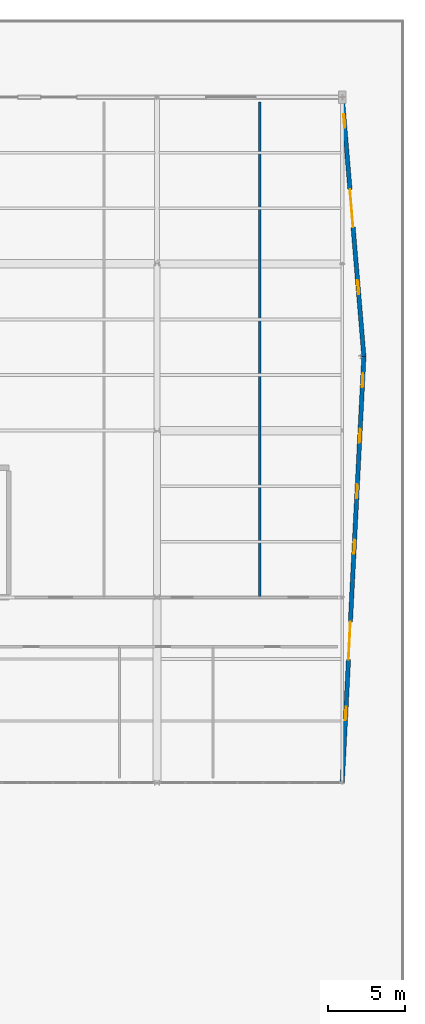
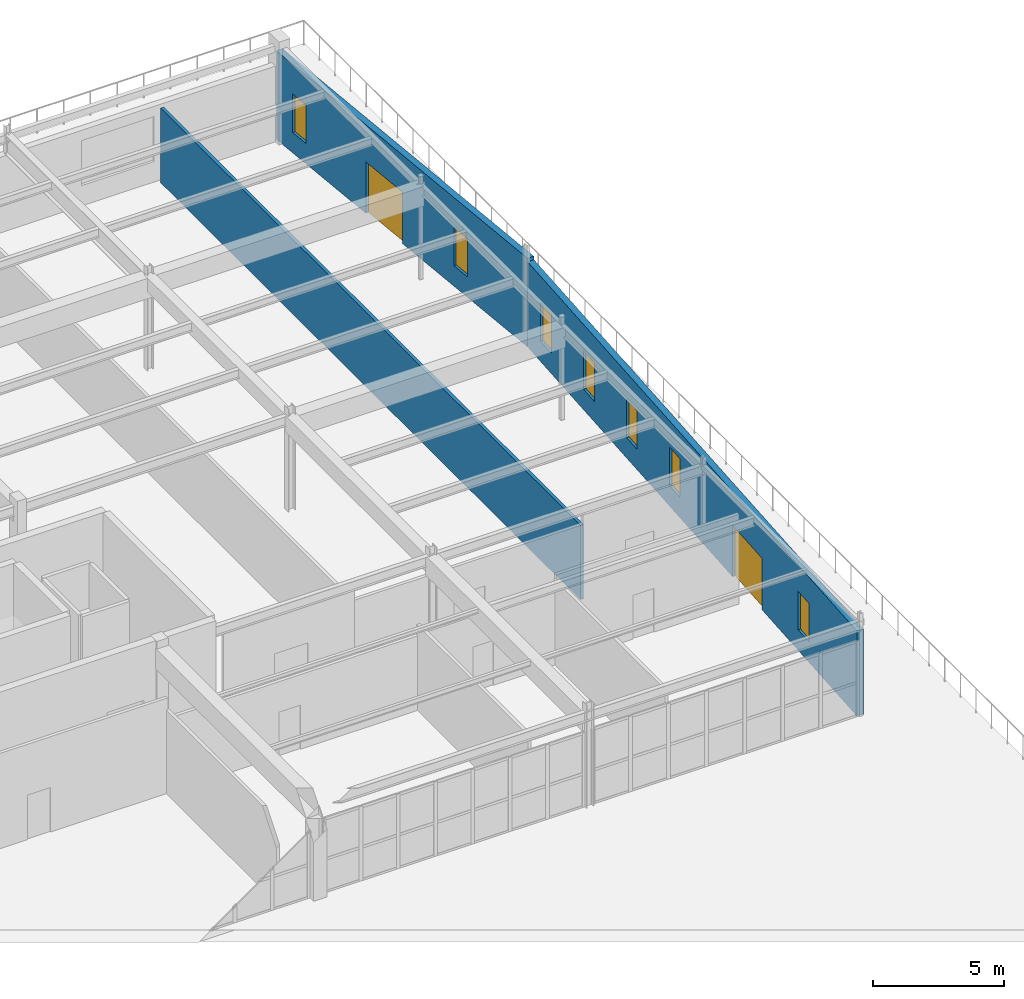
# One storey, part 172 of 199: 7 windows, 3 walls, 2 doors, 9 openings.
"""IFC4 building model written with IfcOpenShell, lengths in metres."""

from ifc_helpers import new_model, si_unit, direction, frame, frame_2d, origin, place, context, subcontext, project, spatial, rectangle, extrude, material, layer, layer_set, type_object, element, fill, save


model = new_model("IFC4")

# Units and contexts
model_context = context("Model", 3, precision=1e-05, world=origin(), true_north=direction((0.0, 1.0)))
body_context = subcontext(model_context, "Body", "Model", "MODEL_VIEW")
ifc_project = project(units=[si_unit("LENGTHUNIT", "METRE"), si_unit("AREAUNIT", "SQUARE_METRE"), si_unit("VOLUMEUNIT", "CUBIC_METRE"), si_unit("PLANEANGLEUNIT", "RADIAN"), si_unit("MASSUNIT", "GRAM", prefix="KILO")], contexts=[model_context])

# Site, building, storey
site_placement = place(None, origin())
site = spatial("IfcSite", under=ifc_project, at=site_placement, CompositionType="ELEMENT")
building_placement = place(site_placement, origin())
building = spatial("IfcBuilding", under=site, at=building_placement, Name="Tarnwether General Hospital", CompositionType="ELEMENT")
storey_placement = place(building_placement, origin())
storey = spatial("IfcBuildingStorey", under=building, at=storey_placement, Name="L00", CompositionType="ELEMENT", Elevation=0.0)

# Wall, openings, door, windows
ifc_material_1 = material(Name="Precast concrete 40 MPa", Category="concrete")
ifc_layer_1 = layer(ifc_material_1, 0.280029296875)
ifc_layer_set_1 = layer_set([ifc_layer_1], Name="Precast concrete 40 MPa")
wall_type_1 = type_object("IfcWallType", Name="WL-EX280", PredefinedType="STANDARD", material=ifc_layer_set_1)
wall_1_placement = place(storey_placement, frame((192.0, 126.0, 0.0), z_axis=(0.0, 0.0, 1.0), x_axis=(0.083039487322, -0.996546257604, 0.0)))
wall_1 = element("IfcWall", 1, at=wall_1_placement, inside=storey, type_object=wall_type_1, Name="L00 Outpatient Splayed Shard Wall EW-L00-0292", PredefinedType="STANDARD", context=body_context, shape_type="SweptSolid", body=[
    extrude(rectangle(XDim=16.858154296875, YDim=0.280029296875, at=frame_2d((8.42919921875, 0.0))), origin(), (0.0, 0.0, 1.0), 4.1298828125),
])
opening_1_placement = place(wall_1_placement, frame((6.0, 0.0, 0.0)))
opening_1 = element("IfcOpeningElement", 2, at=opening_1_placement, cuts=wall_1, Name="Opening ED-01", PredefinedType="OPENING", context=body_context, shape_type="SweptSolid", body=[
    extrude(rectangle(XDim=2.4599609375, YDim=2.39990234375, at=frame_2d((1.22998046875, 1.199951171875))), frame((0.0, 0.14990234375, 0.0), z_axis=(0.0, -1.0, 0.0), x_axis=(1.0, 0.0, 0.0)), (0.0, 0.0, 1.0), 0.300048828125),
])
opening_2_placement = place(wall_1_placement, frame((1.10009765625, 0.0, 0.949951171875)))
opening_2 = element("IfcOpeningElement", 3, at=opening_2_placement, cuts=wall_1, Name="Opening W-21", PredefinedType="OPENING", context=body_context, shape_type="SweptSolid", body=[
    extrude(rectangle(XDim=0.89990234375, YDim=1.800048828125, at=frame_2d((0.449951171875, 0.89990234375))), frame((0.0, 0.14990234375, 0.0), z_axis=(0.0, -1.0, 0.0), x_axis=(1.0, 0.0, 0.0)), (0.0, 0.0, 1.0), 0.300048828125),
])
opening_3_placement = place(wall_1_placement, frame((11.89990234375, 0.0, 0.949951171875)))
opening_3 = element("IfcOpeningElement", 4, at=opening_3_placement, cuts=wall_1, Name="Opening W-21", PredefinedType="OPENING", context=body_context, shape_type="SweptSolid", body=[
    extrude(rectangle(XDim=0.89990234375, YDim=1.800048828125, at=frame_2d((0.449951171875, 0.89990234375))), frame((0.0, 0.14990234375, 0.0), z_axis=(0.0, -1.0, 0.0), x_axis=(1.0, 0.0, 0.0)), (0.0, 0.0, 1.0), 0.300048828125),
])
ifc_material_2 = material(Name="Anodised aluminium", Category="aluminium")
door_type = type_object("IfcDoorType", Name="DR-EX01", OperationType="NOTDEFINED", PredefinedType="DOOR", material=ifc_material_2)
door_1_placement = place(opening_1_placement, origin())
door_1 = element("IfcDoor", 5, at=door_1_placement, inside=storey, type_object=door_type, Name="L00 East Clinic Shard Exit North-A ED-L00-0023", OperationType="DOUBLE_DOOR_SINGLE_SWING", OverallHeight=2.39990234375, OverallWidth=2.4599609375, PredefinedType="DOOR", context=body_context, shape_type="SweptSolid", body=[
    extrude(rectangle(XDim=2.4599609375, YDim=2.39990234375, at=frame_2d((1.22998046875, 1.199951171875))), frame((0.0, 0.02490234375, 0.0), z_axis=(0.0, -1.0, 0.0), x_axis=(1.0, 0.0, 0.0)), (0.0, 0.0, 1.0), 0.050048828125),
])
fill(opening_1, door_1)
ifc_material_3 = material(Name="Double glazed low-E glass", Category="glass")
window_type = type_object("IfcWindowType", Name="WN-21", PartitioningType="SINGLE_PANEL", PredefinedType="WINDOW", material=ifc_material_3)
window_1_placement = place(opening_2_placement, origin())
window_1 = element("IfcWindow", 6, at=window_1_placement, inside=storey, type_object=window_type, Name="Window WN-L00-0068", OverallHeight=1.800048828125, OverallWidth=0.89990234375, PartitioningType="SINGLE_PANEL", PredefinedType="WINDOW", context=body_context, shape_type="SweptSolid", body=[
    extrude(rectangle(XDim=0.89990234375, YDim=1.800048828125, at=frame_2d((0.449951171875, 0.89990234375))), frame((0.0, 0.030029296875, 0.0), z_axis=(0.0, -1.0, 0.0), x_axis=(1.0, 0.0, 0.0)), (0.0, 0.0, 1.0), 0.06005859375),
])
fill(opening_2, window_1)
window_2_placement = place(opening_3_placement, origin())
window_2 = element("IfcWindow", 7, at=window_2_placement, inside=storey, type_object=window_type, Name="Window WN-L00-0069", OverallHeight=1.800048828125, OverallWidth=0.89990234375, PartitioningType="SINGLE_PANEL", PredefinedType="WINDOW", context=body_context, shape_type="SweptSolid", body=[
    extrude(rectangle(XDim=0.89990234375, YDim=1.800048828125, at=frame_2d((0.449951171875, 0.89990234375))), frame((0.0, 0.030029296875, 0.0), z_axis=(0.0, -1.0, 0.0), x_axis=(1.0, 0.0, 0.0)), (0.0, 0.0, 1.0), 0.06005859375),
])
fill(opening_3, window_2)

wall_2_placement = place(storey_placement, frame((193.39990234375, 109.199951171875, 0.0), z_axis=(0.0, 0.0, 1.0), x_axis=(-0.050656249881, -0.998716148036, 0.0)))
wall_2 = element("IfcWall", 8, at=wall_2_placement, inside=storey, type_object=wall_type_1, Name="L00 Outpatient Splayed Shard Wall EW-L00-0293", PredefinedType="STANDARD", context=body_context, shape_type="SweptSolid", body=[
    extrude(rectangle(XDim=27.63525390625, YDim=0.280029296875, at=frame_2d((13.817626953125, 0.0))), origin(), (0.0, 0.0, 1.0), 3.972900390625),
])
opening_4_placement = place(wall_2_placement, frame((17.199951171875, 0.0, 0.0)))
opening_4 = element("IfcOpeningElement", 9, at=opening_4_placement, cuts=wall_2, Name="Opening ED-01", PredefinedType="OPENING", context=body_context, shape_type="SweptSolid", body=[
    extrude(rectangle(XDim=2.4599609375, YDim=2.39990234375, at=frame_2d((1.22998046875, 1.199951171875))), frame((0.0, 0.14990234375, 0.0), z_axis=(0.0, -1.0, 0.0), x_axis=(1.0, 0.0, 0.0)), (0.0, 0.0, 1.0), 0.300048828125),
])
opening_5_placement = place(wall_2_placement, frame((1.10009765625, 0.0, 0.949951171875)))
opening_5 = element("IfcOpeningElement", 10, at=opening_5_placement, cuts=wall_2, Name="Opening W-21", PredefinedType="OPENING", context=body_context, shape_type="SweptSolid", body=[
    extrude(rectangle(XDim=0.89990234375, YDim=1.800048828125, at=frame_2d((0.449951171875, 0.89990234375))), frame((0.0, 0.14990234375, 0.0), z_axis=(0.0, -1.0, 0.0), x_axis=(1.0, 0.0, 0.0)), (0.0, 0.0, 1.0), 0.300048828125),
])
opening_6_placement = place(wall_2_placement, frame((4.699951171875, 0.0, 0.949951171875)))
opening_6 = element("IfcOpeningElement", 11, at=opening_6_placement, cuts=wall_2, Name="Opening W-21", PredefinedType="OPENING", context=body_context, shape_type="SweptSolid", body=[
    extrude(rectangle(XDim=0.89990234375, YDim=1.800048828125, at=frame_2d((0.449951171875, 0.89990234375))), frame((0.0, 0.14990234375, 0.0), z_axis=(0.0, -1.0, 0.0), x_axis=(1.0, 0.0, 0.0)), (0.0, 0.0, 1.0), 0.300048828125),
])
opening_7_placement = place(wall_2_placement, frame((8.300048828125, 0.0, 0.949951171875)))
opening_7 = element("IfcOpeningElement", 12, at=opening_7_placement, cuts=wall_2, Name="Opening W-21", PredefinedType="OPENING", context=body_context, shape_type="SweptSolid", body=[
    extrude(rectangle(XDim=0.89990234375, YDim=1.800048828125, at=frame_2d((0.449951171875, 0.89990234375))), frame((0.0, 0.14990234375, 0.0), z_axis=(0.0, -1.0, 0.0), x_axis=(1.0, 0.0, 0.0)), (0.0, 0.0, 1.0), 0.300048828125),
])
opening_8_placement = place(wall_2_placement, frame((11.89990234375, 0.0, 0.949951171875)))
opening_8 = element("IfcOpeningElement", 13, at=opening_8_placement, cuts=wall_2, Name="Opening W-21", PredefinedType="OPENING", context=body_context, shape_type="SweptSolid", body=[
    extrude(rectangle(XDim=0.89990234375, YDim=1.800048828125, at=frame_2d((0.449951171875, 0.89990234375))), frame((0.0, 0.14990234375, 0.0), z_axis=(0.0, -1.0, 0.0), x_axis=(1.0, 0.0, 0.0)), (0.0, 0.0, 1.0), 0.300048828125),
])
opening_9_placement = place(wall_2_placement, frame((22.699951171875, 0.0, 0.949951171875)))
opening_9 = element("IfcOpeningElement", 14, at=opening_9_placement, cuts=wall_2, Name="Opening W-21", PredefinedType="OPENING", context=body_context, shape_type="SweptSolid", body=[
    extrude(rectangle(XDim=0.89990234375, YDim=1.800048828125, at=frame_2d((0.449951171875, 0.89990234375))), frame((0.0, 0.14990234375, 0.0), z_axis=(0.0, -1.0, 0.0), x_axis=(1.0, 0.0, 0.0)), (0.0, 0.0, 1.0), 0.300048828125),
])
door_2_placement = place(opening_4_placement, origin())
door_2 = element("IfcDoor", 15, at=door_2_placement, inside=storey, type_object=door_type, Name="L00 East Clinic Shard Exit North-B ED-L00-0024", OperationType="DOUBLE_DOOR_SINGLE_SWING", OverallHeight=2.39990234375, OverallWidth=2.4599609375, PredefinedType="DOOR", context=body_context, shape_type="SweptSolid", body=[
    extrude(rectangle(XDim=2.4599609375, YDim=2.39990234375, at=frame_2d((1.22998046875, 1.199951171875))), frame((0.0, 0.02490234375, 0.0), z_axis=(0.0, -1.0, 0.0), x_axis=(1.0, 0.0, 0.0)), (0.0, 0.0, 1.0), 0.050048828125),
])
fill(opening_4, door_2)
window_3_placement = place(opening_5_placement, origin())
window_3 = element("IfcWindow", 16, at=window_3_placement, inside=storey, type_object=window_type, Name="Window WN-L00-0070", OverallHeight=1.800048828125, OverallWidth=0.89990234375, PartitioningType="SINGLE_PANEL", PredefinedType="WINDOW", context=body_context, shape_type="SweptSolid", body=[
    extrude(rectangle(XDim=0.89990234375, YDim=1.800048828125, at=frame_2d((0.449951171875, 0.89990234375))), frame((0.0, 0.030029296875, 0.0), z_axis=(0.0, -1.0, 0.0), x_axis=(1.0, 0.0, 0.0)), (0.0, 0.0, 1.0), 0.06005859375),
])
fill(opening_5, window_3)
window_4_placement = place(opening_6_placement, origin())
window_4 = element("IfcWindow", 17, at=window_4_placement, inside=storey, type_object=window_type, Name="Window WN-L00-0071", OverallHeight=1.800048828125, OverallWidth=0.89990234375, PartitioningType="SINGLE_PANEL", PredefinedType="WINDOW", context=body_context, shape_type="SweptSolid", body=[
    extrude(rectangle(XDim=0.89990234375, YDim=1.800048828125, at=frame_2d((0.449951171875, 0.89990234375))), frame((0.0, 0.030029296875, 0.0), z_axis=(0.0, -1.0, 0.0), x_axis=(1.0, 0.0, 0.0)), (0.0, 0.0, 1.0), 0.06005859375),
])
fill(opening_6, window_4)
window_5_placement = place(opening_7_placement, origin())
window_5 = element("IfcWindow", 18, at=window_5_placement, inside=storey, type_object=window_type, Name="Window WN-L00-0072", OverallHeight=1.800048828125, OverallWidth=0.89990234375, PartitioningType="SINGLE_PANEL", PredefinedType="WINDOW", context=body_context, shape_type="SweptSolid", body=[
    extrude(rectangle(XDim=0.89990234375, YDim=1.800048828125, at=frame_2d((0.449951171875, 0.89990234375))), frame((0.0, 0.030029296875, 0.0), z_axis=(0.0, -1.0, 0.0), x_axis=(1.0, 0.0, 0.0)), (0.0, 0.0, 1.0), 0.06005859375),
])
fill(opening_7, window_5)
window_6_placement = place(opening_8_placement, origin())
window_6 = element("IfcWindow", 19, at=window_6_placement, inside=storey, type_object=window_type, Name="Window WN-L00-0073", OverallHeight=1.800048828125, OverallWidth=0.89990234375, PartitioningType="SINGLE_PANEL", PredefinedType="WINDOW", context=body_context, shape_type="SweptSolid", body=[
    extrude(rectangle(XDim=0.89990234375, YDim=1.800048828125, at=frame_2d((0.449951171875, 0.89990234375))), frame((0.0, 0.030029296875, 0.0), z_axis=(0.0, -1.0, 0.0), x_axis=(1.0, 0.0, 0.0)), (0.0, 0.0, 1.0), 0.06005859375),
])
fill(opening_8, window_6)
window_7_placement = place(opening_9_placement, origin())
window_7 = element("IfcWindow", 20, at=window_7_placement, inside=storey, type_object=window_type, Name="Window WN-L00-0074", OverallHeight=1.800048828125, OverallWidth=0.89990234375, PartitioningType="SINGLE_PANEL", PredefinedType="WINDOW", context=body_context, shape_type="SweptSolid", body=[
    extrude(rectangle(XDim=0.89990234375, YDim=1.800048828125, at=frame_2d((0.449951171875, 0.89990234375))), frame((0.0, 0.030029296875, 0.0), z_axis=(0.0, -1.0, 0.0), x_axis=(1.0, 0.0, 0.0)), (0.0, 0.0, 1.0), 0.06005859375),
])
fill(opening_9, window_7)

# Wall
ifc_material_4 = material(Name="Gypsum plasterboard")
ifc_layer_2 = layer(ifc_material_4, 0.139892578125)
ifc_layer_set_2 = layer_set([ifc_layer_2], Name="Gypsum plasterboard")
wall_type_2 = type_object("IfcWallType", Name="WL-PT140", PredefinedType="PARTITIONING", material=ifc_layer_set_2)
wall_3_placement = place(storey_placement, frame((186.656982421875, 93.60009765625, 0.0), z_axis=(0.0, 0.0, 1.0), x_axis=(0.0, 1.0, 0.0)))
element("IfcWall", 21, at=wall_3_placement, inside=storey, type_object=wall_type_2, Name="Interior Partition PT-L00-0161", PredefinedType="PARTITIONING", context=body_context, shape_type="SweptSolid", body=[
    extrude(rectangle(XDim=32.099853515625, YDim=0.139892578125, at=frame_2d((16.0498046875, 0.0))), origin(), (0.0, 0.0, 1.0), 3.47998046875),
])

save(model, "model.ifc")
